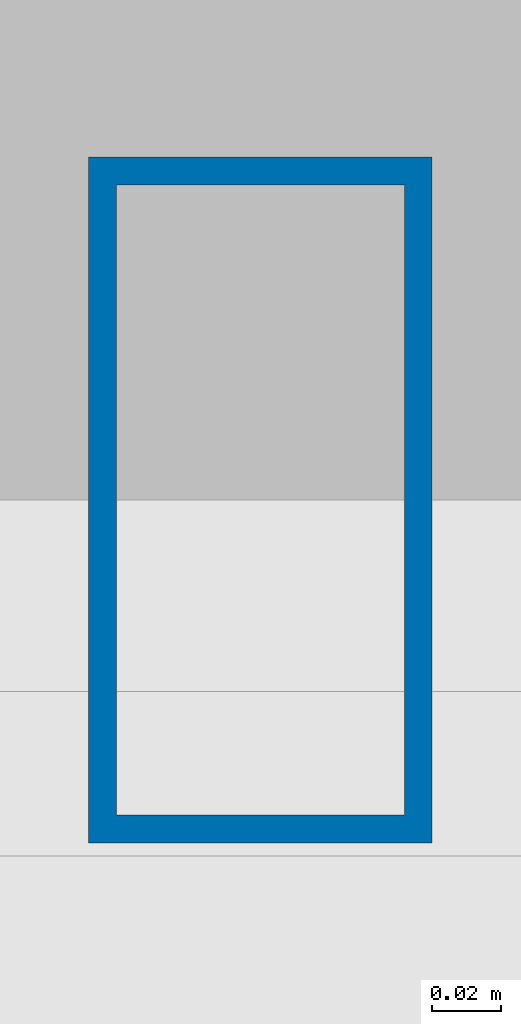
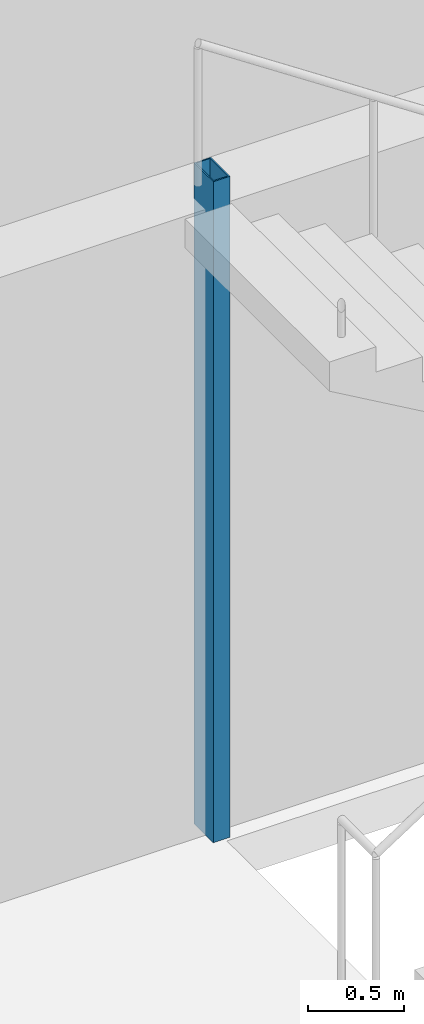
# One storey, part 2 of 16: 1 column.
"""IFC4 building model written with IfcOpenShell, lengths in metres."""

from ifc_helpers import new_model, si_unit, direction, frame, origin, origin_2d, place, context, subcontext, project, spatial, hollow_rectangle, extrude, material, material_profile, profile_set, type_object, element, save


model = new_model("IFC4")

# Units and contexts
model_context = context("Model", 3, precision=1e-05, world=origin(), true_north=direction((0.0, 1.0)))
body_context = subcontext(model_context, "Body", "Model", "MODEL_VIEW")
ifc_project = project(units=[si_unit("LENGTHUNIT", "METRE"), si_unit("AREAUNIT", "SQUARE_METRE"), si_unit("VOLUMEUNIT", "CUBIC_METRE"), si_unit("PLANEANGLEUNIT", "RADIAN"), si_unit("MASSUNIT", "GRAM", prefix="KILO")], contexts=[model_context])

# Site, building, storey
site_placement = place(None, origin())
site = spatial("IfcSite", under=ifc_project, at=site_placement, CompositionType="ELEMENT")
building_placement = place(site_placement, origin())
building = spatial("IfcBuilding", under=site, at=building_placement, Name="Menara Jurai Vektor", CompositionType="ELEMENT")
storey_placement = place(building_placement, frame((0.0, 0.0, 83.199951171875)))
storey = spatial("IfcBuildingStorey", under=building, at=storey_placement, Name="L20", CompositionType="ELEMENT", Elevation=83.199951171875)

# Column
ifc_material = material(Name="Steel S355", Category="steel")
ifc_material_profile = material_profile(ifc_material, hollow_rectangle(XDim=0.10009765625, YDim=0.199951171875, WallThickness=0.008056640625, at=origin_2d()), Name="RHS 200x100x8")
ifc_profile_set = profile_set([ifc_material_profile], Name="Steel S355")
column_type = type_object("IfcColumnType", Name="STR-COL-STAIR", PredefinedType="COLUMN", material=ifc_profile_set)
column_placement = place(storey_placement, frame((-11.1201171875, 5.419921875, 0.0), z_axis=(0.0, 0.0, 1.0), x_axis=(1.0, 0.0, 0.0)))
element("IfcColumn", 1, at=column_placement, inside=storey, type_object=column_type, Name="Stair Well Header Column ST1-P2 L20", PredefinedType="COLUMN", context=body_context, shape_type="SweptSolid", body=[
    extrude(hollow_rectangle(XDim=0.10009765625, YDim=0.199951171875, WallThickness=0.008056640625, at=origin_2d()), origin(), (0.0, 0.0, 1.0), 4.199951171875),
])

save(model, "model.ifc")
